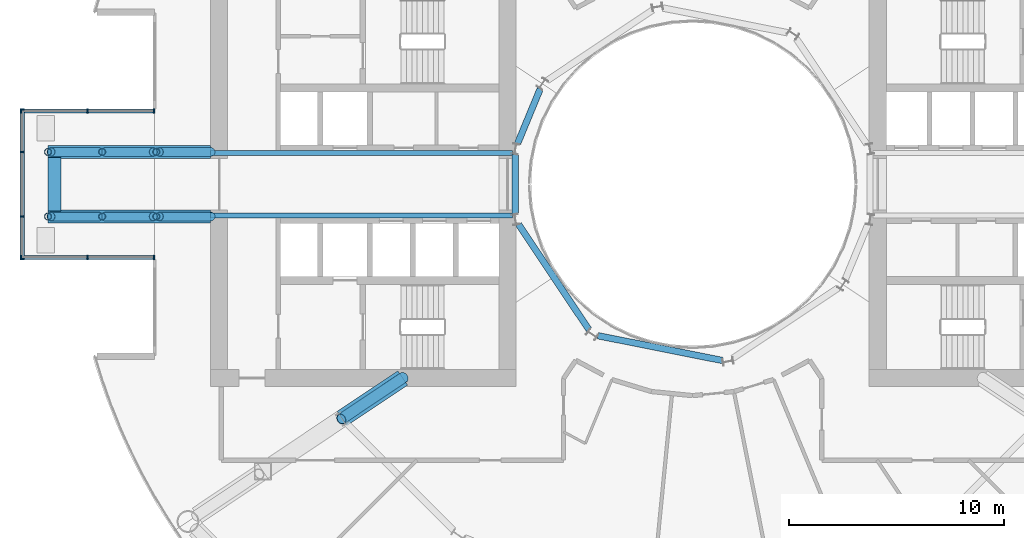
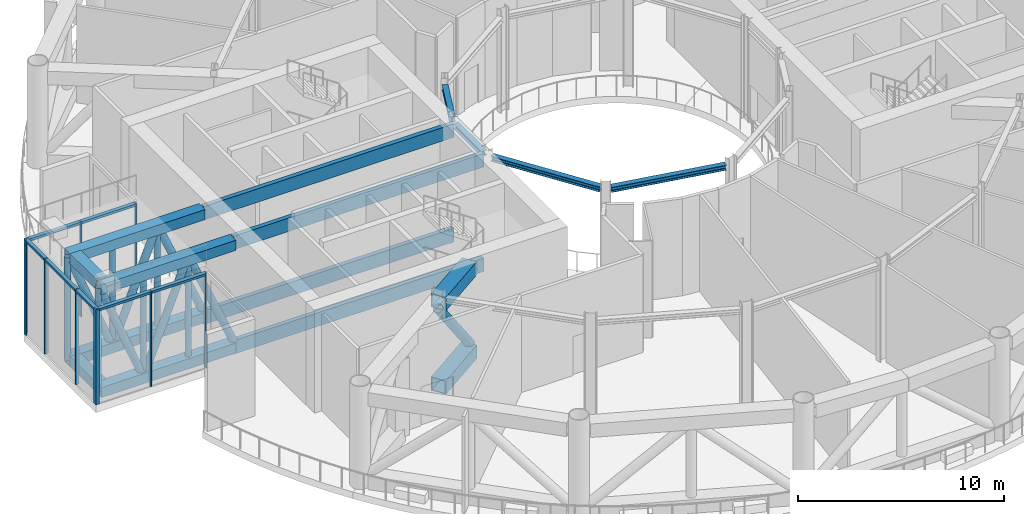
# One storey, part 5 of 22: 30 members, 16 beams, 3 elements without a shape of their own.
"""IFC4 building model written with IfcOpenShell, lengths in metres."""

from ifc_helpers import new_model, si_unit, direction, frame, origin, origin_2d, place, context, subcontext, project, spatial, rectangle, hollow_rectangle, hollow_circle, i_section, extrude, material, layer, layer_set, material_profile, profile_set, type_object, element, aggregate, save


model = new_model("IFC4")

# Units and contexts
model_context = context("Model", 3, precision=1e-05, world=origin(), true_north=direction((0.0, 1.0)))
body_context = subcontext(model_context, "Body", "Model", "MODEL_VIEW")
ifc_project = project(units=[si_unit("LENGTHUNIT", "METRE"), si_unit("AREAUNIT", "SQUARE_METRE"), si_unit("VOLUMEUNIT", "CUBIC_METRE"), si_unit("PLANEANGLEUNIT", "RADIAN"), si_unit("MASSUNIT", "GRAM", prefix="KILO")], contexts=[model_context])

# Site, building, storey
site_placement = place(None, origin())
site = spatial("IfcSite", under=ifc_project, at=site_placement, CompositionType="ELEMENT")
building_placement = place(site_placement, origin())
building = spatial("IfcBuilding", under=site, at=building_placement, Name="Maasbend Ring Residences", CompositionType="ELEMENT")
storey_placement = place(building_placement, frame((0.0, 0.0, 57.5)))
storey = spatial("IfcBuildingStorey", under=building, at=storey_placement, Name="L16", CompositionType="ELEMENT", Elevation=57.5)

# Curtain wall, members
ifc_material_1 = material(Name="Aluminium and clear glass", Category="aluminium")
ifc_layer = layer(ifc_material_1, 0.199951171875)
ifc_layer_set = layer_set([ifc_layer], Name="CW-GR")
curtain_wall_type = type_object("IfcCurtainWallType", Name="CW-GR", PredefinedType="NOTDEFINED", material=ifc_layer_set)
curtain_wall_1_placement = place(storey_placement, origin())
curtain_wall_1 = element("IfcCurtainWall", 1, at=curtain_wall_1_placement, inside=storey, type_object=curtain_wall_type, Name="Glass lounge curtain wall tip", PredefinedType="NOTDEFINED")
ifc_material_2 = material(Name="Aluminium 6063-T6", Category="aluminium")
ifc_material_profile_1 = material_profile(ifc_material_2, rectangle(XDim=0.199951171875, YDim=0.070068359375, at=origin_2d()), Name="AL 200x70")
ifc_profile_set_1 = profile_set([ifc_material_profile_1], Name="Aluminium 6063-T6")
member_type_1 = type_object("IfcMemberType", Name="CWM-GR", PredefinedType="MULLION", material=ifc_profile_set_1)
member_1_placement = place(storey_placement, frame((-31.14990234375, -3.465087890625, 0.0), z_axis=(0.0, 0.0, 1.0), x_axis=(-1.0, 0.0, 0.0)))
member_1 = element("IfcMember", 2, at=member_1_placement, type_object=member_type_1, Name="Mullion glass room", PredefinedType="MULLION", context=body_context, shape_type="SweptSolid", body=[
    extrude(rectangle(XDim=0.199951171875, YDim=0.070068359375, at=origin_2d()), origin(), (0.0, 0.0, 1.0), 5.64990234375),
])
member_2_placement = place(storey_placement, frame((-31.14990234375, -1.5, 0.0), z_axis=(0.0, 0.0, 1.0), x_axis=(-1.0, 0.0, 0.0)))
member_2 = element("IfcMember", 3, at=member_2_placement, type_object=member_type_1, Name="Mullion glass room", PredefinedType="MULLION", context=body_context, shape_type="SweptSolid", body=[
    extrude(rectangle(XDim=0.199951171875, YDim=0.070068359375, at=origin_2d()), origin(), (0.0, 0.0, 1.0), 5.64990234375),
])
member_3_placement = place(storey_placement, frame((-31.14990234375, 1.5, 0.0), z_axis=(0.0, 0.0, 1.0), x_axis=(-1.0, 0.0, 0.0)))
member_3 = element("IfcMember", 4, at=member_3_placement, type_object=member_type_1, Name="Mullion glass room", PredefinedType="MULLION", context=body_context, shape_type="SweptSolid", body=[
    extrude(rectangle(XDim=0.199951171875, YDim=0.070068359375, at=origin_2d()), origin(), (0.0, 0.0, 1.0), 5.64990234375),
])
member_4_placement = place(storey_placement, frame((-31.14990234375, 3.465087890625, 0.0), z_axis=(0.0, 0.0, 1.0), x_axis=(-1.0, 0.0, 0.0)))
member_4 = element("IfcMember", 5, at=member_4_placement, type_object=member_type_1, Name="Mullion glass room", PredefinedType="MULLION", context=body_context, shape_type="SweptSolid", body=[
    extrude(rectangle(XDim=0.199951171875, YDim=0.070068359375, at=origin_2d()), origin(), (0.0, 0.0, 1.0), 5.64990234375),
])

curtain_wall_2_placement = place(storey_placement, origin())
curtain_wall_2 = element("IfcCurtainWall", 6, at=curtain_wall_2_placement, inside=storey, type_object=curtain_wall_type, Name="Glass lounge curtain wall south", PredefinedType="NOTDEFINED")
member_5_placement = place(storey_placement, frame((-25.034912109375, -3.39990234375, 0.0), z_axis=(0.0, 0.0, 1.0), x_axis=(0.0, -1.0, 0.0)))
member_5 = element("IfcMember", 7, at=member_5_placement, type_object=member_type_1, Name="Mullion glass room", PredefinedType="MULLION", context=body_context, shape_type="SweptSolid", body=[
    extrude(rectangle(XDim=0.199951171875, YDim=0.070068359375, at=origin_2d()), origin(), (0.0, 0.0, 1.0), 5.64990234375),
])
member_6_placement = place(storey_placement, frame((-28.125, -3.39990234375, 0.0), z_axis=(0.0, 0.0, 1.0), x_axis=(0.0, -1.0, 0.0)))
member_6 = element("IfcMember", 8, at=member_6_placement, type_object=member_type_1, Name="Mullion glass room", PredefinedType="MULLION", context=body_context, shape_type="SweptSolid", body=[
    extrude(rectangle(XDim=0.199951171875, YDim=0.070068359375, at=origin_2d()), origin(), (0.0, 0.0, 1.0), 5.64990234375),
])
member_7_placement = place(storey_placement, frame((-31.215087890625, -3.39990234375, 0.0), z_axis=(0.0, 0.0, 1.0), x_axis=(0.0, -1.0, 0.0)))
member_7 = element("IfcMember", 9, at=member_7_placement, type_object=member_type_1, Name="Mullion glass room", PredefinedType="MULLION", context=body_context, shape_type="SweptSolid", body=[
    extrude(rectangle(XDim=0.199951171875, YDim=0.070068359375, at=origin_2d()), origin(), (0.0, 0.0, 1.0), 5.64990234375),
])

curtain_wall_3_placement = place(storey_placement, origin())
curtain_wall_3 = element("IfcCurtainWall", 10, at=curtain_wall_3_placement, inside=storey, type_object=curtain_wall_type, Name="Glass lounge curtain wall north", PredefinedType="NOTDEFINED")
member_8_placement = place(storey_placement, frame((-25.034912109375, 3.39990234375, 0.0), z_axis=(0.0, 0.0, 1.0), x_axis=(0.0, -1.0, 0.0)))
member_8 = element("IfcMember", 11, at=member_8_placement, type_object=member_type_1, Name="Mullion glass room", PredefinedType="MULLION", context=body_context, shape_type="SweptSolid", body=[
    extrude(rectangle(XDim=0.199951171875, YDim=0.070068359375, at=origin_2d()), origin(), (0.0, 0.0, 1.0), 5.64990234375),
])
member_9_placement = place(storey_placement, frame((-28.125, 3.39990234375, 0.0), z_axis=(0.0, 0.0, 1.0), x_axis=(0.0, -1.0, 0.0)))
member_9 = element("IfcMember", 12, at=member_9_placement, type_object=member_type_1, Name="Mullion glass room", PredefinedType="MULLION", context=body_context, shape_type="SweptSolid", body=[
    extrude(rectangle(XDim=0.199951171875, YDim=0.070068359375, at=origin_2d()), origin(), (0.0, 0.0, 1.0), 5.64990234375),
])
member_10_placement = place(storey_placement, frame((-31.215087890625, 3.39990234375, 0.0), z_axis=(0.0, 0.0, 1.0), x_axis=(0.0, -1.0, 0.0)))
member_10 = element("IfcMember", 13, at=member_10_placement, type_object=member_type_1, Name="Mullion glass room", PredefinedType="MULLION", context=body_context, shape_type="SweptSolid", body=[
    extrude(rectangle(XDim=0.199951171875, YDim=0.070068359375, at=origin_2d()), origin(), (0.0, 0.0, 1.0), 5.64990234375),
])

# Member
ifc_material_3 = material(Name="Aluminium 6063-T6", Category="aluminium")
ifc_material_profile_2 = material_profile(ifc_material_3, rectangle(XDim=0.199951171875, YDim=0.139892578125, at=origin_2d()), Name="AL 200x140")
ifc_profile_set_2 = profile_set([ifc_material_profile_2], Name="Aluminium 6063-T6")
member_type_2 = type_object("IfcMemberType", Name="CWT-GR", PredefinedType="USERDEFINED", material=ifc_profile_set_2)
member_11_placement = place(storey_placement, frame((-31.14990234375, -3.429931640625, 5.580078125), z_axis=(0.0, 1.0, 0.0), x_axis=(-1.0, 0.0, 0.0)))
member_11 = element("IfcMember", 14, at=member_11_placement, type_object=member_type_2, Name="Transom glass room", ObjectType="TRANSOM", PredefinedType="USERDEFINED", context=body_context, shape_type="SweptSolid", body=[
    extrude(rectangle(XDim=0.199951171875, YDim=0.139892578125, at=origin_2d()), origin(), (0.0, 0.0, 1.0), 1.89501953125),
])

member_12_placement = place(storey_placement, frame((-31.14990234375, -1.465087890625, 5.580078125), z_axis=(0.0, 1.0, 0.0), x_axis=(-1.0, 0.0, 0.0)))
member_12 = element("IfcMember", 15, at=member_12_placement, type_object=member_type_2, Name="Transom glass room", ObjectType="TRANSOM", PredefinedType="USERDEFINED", context=body_context, shape_type="SweptSolid", body=[
    extrude(rectangle(XDim=0.199951171875, YDim=0.139892578125, at=origin_2d()), origin(), (0.0, 0.0, 1.0), 2.93017578125),
])

member_13_placement = place(storey_placement, frame((-31.14990234375, 1.534912109375, 5.580078125), z_axis=(0.0, 1.0, 0.0), x_axis=(-1.0, 0.0, 0.0)))
member_13 = element("IfcMember", 16, at=member_13_placement, type_object=member_type_2, Name="Transom glass room", ObjectType="TRANSOM", PredefinedType="USERDEFINED", context=body_context, shape_type="SweptSolid", body=[
    extrude(rectangle(XDim=0.199951171875, YDim=0.139892578125, at=origin_2d()), origin(), (0.0, 0.0, 1.0), 1.89501953125),
])

aggregate(curtain_wall_1, [member_1, member_2, member_3, member_4, member_11, member_12, member_13])

member_14_placement = place(storey_placement, frame((-25.070068359375, -3.39990234375, 5.580078125), z_axis=(-1.0, 0.0, 0.0), x_axis=(0.0, -1.0, 0.0)))
member_14 = element("IfcMember", 17, at=member_14_placement, type_object=member_type_2, Name="Transom glass room", ObjectType="TRANSOM", PredefinedType="USERDEFINED", context=body_context, shape_type="SweptSolid", body=[
    extrude(rectangle(XDim=0.199951171875, YDim=0.139892578125, at=origin_2d()), origin(), (0.0, 0.0, 1.0), 3.02001953125),
])

member_15_placement = place(storey_placement, frame((-28.159912109375, -3.39990234375, 5.580078125), z_axis=(-1.0, 0.0, 0.0), x_axis=(0.0, -1.0, 0.0)))
member_15 = element("IfcMember", 18, at=member_15_placement, type_object=member_type_2, Name="Transom glass room", ObjectType="TRANSOM", PredefinedType="USERDEFINED", context=body_context, shape_type="SweptSolid", body=[
    extrude(rectangle(XDim=0.199951171875, YDim=0.139892578125, at=origin_2d()), origin(), (0.0, 0.0, 1.0), 3.02001953125),
])

aggregate(curtain_wall_2, [member_5, member_6, member_7, member_14, member_15])

member_16_placement = place(storey_placement, frame((-25.070068359375, 3.39990234375, 5.580078125), z_axis=(-1.0, 0.0, 0.0), x_axis=(0.0, -1.0, 0.0)))
member_16 = element("IfcMember", 19, at=member_16_placement, type_object=member_type_2, Name="Transom glass room", ObjectType="TRANSOM", PredefinedType="USERDEFINED", context=body_context, shape_type="SweptSolid", body=[
    extrude(rectangle(XDim=0.199951171875, YDim=0.139892578125, at=origin_2d()), origin(), (0.0, 0.0, 1.0), 3.02001953125),
])

member_17_placement = place(storey_placement, frame((-28.159912109375, 3.39990234375, 5.580078125), z_axis=(-1.0, 0.0, 0.0), x_axis=(0.0, -1.0, 0.0)))
member_17 = element("IfcMember", 20, at=member_17_placement, type_object=member_type_2, Name="Transom glass room", ObjectType="TRANSOM", PredefinedType="USERDEFINED", context=body_context, shape_type="SweptSolid", body=[
    extrude(rectangle(XDim=0.199951171875, YDim=0.139892578125, at=origin_2d()), origin(), (0.0, 0.0, 1.0), 3.02001953125),
])

aggregate(curtain_wall_3, [member_8, member_9, member_10, member_16, member_17])

# Beams
ifc_material_4 = material(Name="Steel S460M", Category="steel")
ifc_material_profile_3 = material_profile(ifc_material_4, hollow_rectangle(XDim=0.25, YDim=0.800048828125, WallThickness=0.02490234375, at=origin_2d()), Name="Glass room back-span beam BX 800x250x25")
ifc_profile_set_3 = profile_set([ifc_material_profile_3], Name="Steel S460M")
beam_type_1 = type_object("IfcBeamType", Name="Glass room back-span beam BX 800x250x25", PredefinedType="BEAM", material=ifc_profile_set_3)
for number, where, z_axis, x_axis, name in (
    (21, (-22.39990234375, -1.449951171875, -0.85009765625), (1.0, 0.0, 0.0), (0.0, 1.0, 0.0), "Glass room lower back-span beam W"),
    (22, (-22.39990234375, -1.449951171875, 5.35009765625), (1.0, 0.0, 0.0), (0.0, 1.0, 0.0), "Glass room back-span beam W"),
    (23, (-22.39990234375, 1.449951171875, -0.85009765625), (1.0, 0.0, 0.0), (0.0, 1.0, 0.0), "Glass room lower back-span beam W"),
    (24, (-22.39990234375, 1.449951171875, 5.35009765625), (1.0, 0.0, 0.0), (0.0, 1.0, 0.0), "Glass room back-span beam W"),
):
    element("IfcBeam", number, at=place(storey_placement, frame(where, z_axis=z_axis, x_axis=x_axis)), inside=storey, type_object=beam_type_1, Name=name, PredefinedType="BEAM", context=body_context, shape_type="SweptSolid", body=[
        extrude(hollow_rectangle(XDim=0.25, YDim=0.800048828125, WallThickness=0.02490234375, at=origin_2d()), origin(), (0.0, 0.0, 1.0), 14.03076171875),
    ])
ifc_material_5 = material(Name="Steel S460M", Category="steel")
ifc_material_profile_4 = material_profile(ifc_material_5, hollow_rectangle(XDim=0.60009765625, YDim=0.60009765625, WallThickness=0.035888671875, at=origin_2d()), Name="Glass room truss chord BX 600x600x36")
ifc_profile_set_4 = profile_set([ifc_material_profile_4], Name="Steel S460M")
beam_type_2 = type_object("IfcBeamType", Name="Glass room truss chord BX 600x600x36", PredefinedType="BEAM", material=ifc_profile_set_4)
for number, where, z_axis, x_axis, name in (
    (25, (-22.39990234375, -1.5, -0.75), (-1.0, 0.0, 0.0), (0.0, -1.0, 0.0), "Glass room truss W"),
    (26, (-22.39990234375, -1.5, 5.35009765625), (-1.0, 0.0, 0.0), (0.0, -1.0, 0.0), "Glass room truss W"),
):
    element("IfcBeam", number, at=place(storey_placement, frame(where, z_axis=z_axis, x_axis=x_axis)), inside=storey, type_object=beam_type_2, Name=name, PredefinedType="BEAM", context=body_context, shape_type="SweptSolid", body=[
        extrude(hollow_rectangle(XDim=0.60009765625, YDim=0.60009765625, WallThickness=0.035888671875, at=origin_2d()), origin(), (0.0, 0.0, 1.0), 7.550048828125),
    ])
for number, where, z_axis, x_axis, name in (
    (27, (-29.64990234375, -1.25, 5.35009765625), (0.0, 1.0, 0.0), (-1.0, 0.0, 0.0), "Glass room tip beam W"),
    (28, (-29.64990234375, -1.25, -0.75), (0.0, 1.0, 0.0), (-1.0, 0.0, 0.0), "Glass room lower tip beam W"),
):
    element("IfcBeam", number, at=place(storey_placement, frame(where, z_axis=z_axis, x_axis=x_axis)), inside=storey, type_object=beam_type_2, Name=name, PredefinedType="BEAM", context=body_context, shape_type="SweptSolid", body=[
        extrude(hollow_rectangle(XDim=0.60009765625, YDim=0.60009765625, WallThickness=0.035888671875, at=origin_2d()), origin(), (0.0, 0.0, 1.0), 2.5),
    ])
for number, where, z_axis, x_axis, name in (
    (29, (-22.39990234375, 1.5, -0.75), (-1.0, 0.0, 0.0), (0.0, -1.0, 0.0), "Glass room truss W"),
    (30, (-22.39990234375, 1.5, 5.35009765625), (-1.0, 0.0, 0.0), (0.0, -1.0, 0.0), "Glass room truss W"),
):
    element("IfcBeam", number, at=place(storey_placement, frame(where, z_axis=z_axis, x_axis=x_axis)), inside=storey, type_object=beam_type_2, Name=name, PredefinedType="BEAM", context=body_context, shape_type="SweptSolid", body=[
        extrude(hollow_rectangle(XDim=0.60009765625, YDim=0.60009765625, WallThickness=0.035888671875, at=origin_2d()), origin(), (0.0, 0.0, 1.0), 7.550048828125),
    ])

# Members
ifc_material_6 = material(Name="Steel S460NH", Category="steel")
ifc_material_profile_5 = material_profile(ifc_material_6, hollow_circle(Radius=0.203125, WallThickness=0.01611328125, at=origin_2d()), Name="Glass room truss diagonal CHS 406.4x16")
ifc_profile_set_5 = profile_set([ifc_material_profile_5], Name="Steel S460NH")
member_type_3 = type_object("IfcMemberType", Name="Glass room truss diagonal CHS 406.4x16", PredefinedType="BRACE", material=ifc_profile_set_5)
member_18_placement = place(storey_placement, frame((-22.378662109375, -1.5, -0.5), z_axis=(-0.393561334917, 0.0, 0.919298360522), x_axis=(0.0, -1.0, 0.0)))
element("IfcMember", 31, at=member_18_placement, inside=storey, type_object=member_type_3, Name="Glass room truss W diagonal", PredefinedType="BRACE", context=body_context, shape_type="SweptSolid", body=[
    extrude(hollow_circle(Radius=0.203125, WallThickness=0.01611328125, at=origin_2d()), origin(), (0.0, 0.0, 1.0), 6.091796875),
])
for number, where, z_axis, x_axis, name in (
    (32, (-25.05859375, -1.5, 5.10009765625), (-0.370336143871, 0.0, -0.928897809526), (0.0, -1.0, 0.0), "Glass room truss W diagonal"),
    (33, (-27.5751953125, -1.5, -0.5), (-0.370371085126, 0.0, 0.928883878266), (0.0, -1.0, 0.0), "Glass room truss W diagonal"),
):
    element("IfcMember", number, at=place(storey_placement, frame(where, z_axis=z_axis, x_axis=x_axis)), inside=storey, type_object=member_type_3, Name=name, PredefinedType="BRACE", context=body_context, shape_type="SweptSolid", body=[
        extrude(hollow_circle(Radius=0.203125, WallThickness=0.01611328125, at=origin_2d()), origin(), (0.0, 0.0, 1.0), 6.02880859375),
    ])
member_19_placement = place(storey_placement, frame((-22.378662109375, 1.5, -0.5), z_axis=(-0.393561334917, 0.0, 0.919298360522), x_axis=(0.0, -1.0, 0.0)))
element("IfcMember", 34, at=member_19_placement, inside=storey, type_object=member_type_3, Name="Glass room truss W diagonal", PredefinedType="BRACE", context=body_context, shape_type="SweptSolid", body=[
    extrude(hollow_circle(Radius=0.203125, WallThickness=0.01611328125, at=origin_2d()), origin(), (0.0, 0.0, 1.0), 6.091796875),
])
for number, where, z_axis, x_axis, name in (
    (35, (-25.05859375, 1.5, 5.10009765625), (-0.370336143871, 0.0, -0.928897809526), (0.0, -1.0, 0.0), "Glass room truss W diagonal"),
    (36, (-27.5751953125, 1.5, -0.5), (-0.370371085126, 0.0, 0.928883878266), (0.0, -1.0, 0.0), "Glass room truss W diagonal"),
):
    element("IfcMember", number, at=place(storey_placement, frame(where, z_axis=z_axis, x_axis=x_axis)), inside=storey, type_object=member_type_3, Name=name, PredefinedType="BRACE", context=body_context, shape_type="SweptSolid", body=[
        extrude(hollow_circle(Radius=0.203125, WallThickness=0.01611328125, at=origin_2d()), origin(), (0.0, 0.0, 1.0), 6.02880859375),
    ])
ifc_material_7 = material(Name="Steel S460NH", Category="steel")
ifc_material_profile_6 = material_profile(ifc_material_7, hollow_circle(Radius=0.161865234375, WallThickness=0.012451171875, at=origin_2d()), Name="Glass room truss post CHS 323.9x12.5")
ifc_profile_set_6 = profile_set([ifc_material_profile_6], Name="Steel S460NH")
member_type_4 = type_object("IfcMemberType", Name="Glass room truss post CHS 323.9x12.5", PredefinedType="POST", material=ifc_profile_set_6)
for number, where, z_axis, x_axis, name in (
    (37, (-24.916748046875, -1.5, -0.449951171875), (0.0, 0.0, 1.0), (1.0, 0.0, 0.0), "Glass room truss W post"),
    (38, (-27.433349609375, -1.5, -0.449951171875), (0.0, 0.0, 1.0), (1.0, 0.0, 0.0), "Glass room truss W post"),
):
    element("IfcMember", number, at=place(storey_placement, frame(where, z_axis=z_axis, x_axis=x_axis)), inside=storey, type_object=member_type_4, Name=name, PredefinedType="POST", context=body_context, shape_type="SweptSolid", body=[
        extrude(hollow_circle(Radius=0.161865234375, WallThickness=0.012451171875, at=origin_2d()), origin(), (0.0, 0.0, 1.0), 5.5),
    ])
member_20_placement = place(storey_placement, frame((-29.949951171875, -1.5, -0.75), z_axis=(0.0, 0.0, 1.0), x_axis=(1.0, 0.0, 0.0)))
element("IfcMember", 39, at=member_20_placement, inside=storey, type_object=member_type_4, Name="Glass room truss W post", PredefinedType="POST", context=body_context, shape_type="SweptSolid", body=[
    extrude(hollow_circle(Radius=0.161865234375, WallThickness=0.012451171875, at=origin_2d()), origin(), (0.0, 0.0, 1.0), 6.10009765625),
])
for number, where, z_axis, x_axis, name in (
    (40, (-24.916748046875, 1.5, -0.449951171875), (0.0, 0.0, 1.0), (1.0, 0.0, 0.0), "Glass room truss W post"),
    (41, (-27.433349609375, 1.5, -0.449951171875), (0.0, 0.0, 1.0), (1.0, 0.0, 0.0), "Glass room truss W post"),
):
    element("IfcMember", number, at=place(storey_placement, frame(where, z_axis=z_axis, x_axis=x_axis)), inside=storey, type_object=member_type_4, Name=name, PredefinedType="POST", context=body_context, shape_type="SweptSolid", body=[
        extrude(hollow_circle(Radius=0.161865234375, WallThickness=0.012451171875, at=origin_2d()), origin(), (0.0, 0.0, 1.0), 5.5),
    ])
member_21_placement = place(storey_placement, frame((-29.949951171875, 1.5, -0.75), z_axis=(0.0, 0.0, 1.0), x_axis=(1.0, 0.0, 0.0)))
element("IfcMember", 42, at=member_21_placement, inside=storey, type_object=member_type_4, Name="Glass room truss W post", PredefinedType="POST", context=body_context, shape_type="SweptSolid", body=[
    extrude(hollow_circle(Radius=0.161865234375, WallThickness=0.012451171875, at=origin_2d()), origin(), (0.0, 0.0, 1.0), 6.10009765625),
])

# Beams
ifc_material_8 = material(Name="Steel S460M", Category="steel")
ifc_material_profile_7 = material_profile(ifc_material_8, hollow_rectangle(XDim=0.800048828125, YDim=0.800048828125, WallThickness=0.0400390625, at=origin_2d()), Name="Outrigger truss chord BX 800x800x40")
ifc_profile_set_7 = profile_set([ifc_material_profile_7], Name="Steel S460M")
beam_type_3 = type_object("IfcBeamType", Name="Outrigger truss chord BX 800x800x40", PredefinedType="BEAM", material=ifc_profile_set_7)
for number, where, z_axis, x_axis, name in (
    (43, (-16.2900390625, -10.884765625, 0.39990234375), (0.831451918965, 0.555596712058, 0.0), (-0.555596712058, 0.831451918965, 0.0), "Outrigger truss"),
    (44, (-16.2900390625, -10.884765625, 5.35009765625), (0.831451918965, 0.555596712058, 0.0), (-0.555596712058, 0.831451918965, 0.0), "Outrigger truss"),
):
    element("IfcBeam", number, at=place(storey_placement, frame(where, z_axis=z_axis, x_axis=x_axis)), inside=storey, type_object=beam_type_3, Name=name, PredefinedType="BEAM", context=body_context, shape_type="SweptSolid", body=[
        extrude(hollow_rectangle(XDim=0.800048828125, YDim=0.800048828125, WallThickness=0.0400390625, at=origin_2d()), origin(), (0.0, 0.0, 1.0), 3.392333984375),
    ])

# Member
ifc_material_9 = material(Name="Steel S460NH", Category="steel")
ifc_material_profile_8 = material_profile(ifc_material_9, hollow_circle(Radius=0.25390625, WallThickness=0.02490234375, at=origin_2d()), Name="Outrigger truss diagonal CHS 508x25")
ifc_profile_set_8 = profile_set([ifc_material_profile_8], Name="Steel S460NH")
member_type_5 = type_object("IfcMemberType", Name="Outrigger truss diagonal CHS 508x25", PredefinedType="BRACE", material=ifc_profile_set_8)
member_22_placement = place(storey_placement, frame((-16.32421875, -10.907470703125, 5.0), z_axis=(0.526268216764, 0.351616371312, -0.774214241311), x_axis=(-0.555543133943, 0.831487718688, 0.0)))
element("IfcMember", 45, at=member_22_placement, inside=storey, type_object=member_type_5, Name="Outrigger truss diagonal", PredefinedType="BRACE", context=body_context, shape_type="SweptSolid", body=[
    extrude(hollow_circle(Radius=0.25390625, WallThickness=0.02490234375, at=origin_2d()), origin(), (0.0, 0.0, 1.0), 5.489501953125),
])

# Beams
ifc_material_10 = material(Name="Steel S355J2", Category="steel")
ifc_material_profile_9 = material_profile(ifc_material_10, i_section(OverallWidth=0.300048828125, OverallDepth=0.300048828125, WebThickness=0.010986328125, FlangeThickness=0.01904296875, FilletRadius=0.027099609375, at=origin_2d()), Name="HEB 300")
ifc_profile_set_9 = profile_set([ifc_material_profile_9], Name="Steel S355J2")
beam_type_4 = type_object("IfcBeamType", Name="Well edge beam HEB 300", PredefinedType="BEAM", material=ifc_profile_set_9)
beam_1_placement = place(storey_placement, frame((-7.081787109375, 4.431396484375, 5.60009765625), z_axis=(-0.382723119906, -0.923863092395, 0.0), x_axis=(0.923863092395, -0.382723119906, 0.0)))
element("IfcBeam", 46, at=beam_1_placement, inside=storey, type_object=beam_type_4, Name="Well edge beam", PredefinedType="BEAM", context=body_context, shape_type="SweptSolid", body=[
    extrude(i_section(OverallWidth=0.300048828125, OverallDepth=0.300048828125, WebThickness=0.010986328125, FlangeThickness=0.01904296875, FilletRadius=0.027099609375, at=origin_2d()), origin(), (0.0, 0.0, 1.0), 2.767822265625),
])
beam_2_placement = place(storey_placement, frame((-8.238525390625, 1.3837890625, 5.60009765625), z_axis=(0.0, -1.0, 0.0), x_axis=(1.0, 0.0, 0.0)))
element("IfcBeam", 47, at=beam_2_placement, inside=storey, type_object=beam_type_4, Name="Well edge beam", PredefinedType="BEAM", context=body_context, shape_type="SweptSolid", body=[
    extrude(i_section(OverallWidth=0.300048828125, OverallDepth=0.300048828125, WebThickness=0.010986328125, FlangeThickness=0.01904296875, FilletRadius=0.027099609375, at=origin_2d()), origin(), (0.0, 0.0, 1.0), 2.767578125),
])
beam_3_placement = place(storey_placement, frame((-8.08837890625, -1.86376953125, 5.60009765625), z_axis=(0.555589782054, -0.831456549723, 0.0), x_axis=(0.831456549723, 0.555589782054, 0.0)))
element("IfcBeam", 48, at=beam_3_placement, inside=storey, type_object=beam_type_4, Name="Well edge beam", PredefinedType="BEAM", context=body_context, shape_type="SweptSolid", body=[
    extrude(i_section(OverallWidth=0.300048828125, OverallDepth=0.300048828125, WebThickness=0.010986328125, FlangeThickness=0.01904296875, FilletRadius=0.027099609375, at=origin_2d()), origin(), (0.0, 0.0, 1.0), 5.887939453125),
])
beam_4_placement = place(storey_placement, frame((-4.4013671875, -7.037109375, 5.60009765625), z_axis=(0.980784282486, -0.195095338819, 0.0), x_axis=(0.195095338819, 0.980784282486, 0.0)))
element("IfcBeam", 49, at=beam_4_placement, inside=storey, type_object=beam_type_4, Name="Well edge beam", PredefinedType="BEAM", context=body_context, shape_type="SweptSolid", body=[
    extrude(i_section(OverallWidth=0.300048828125, OverallDepth=0.300048828125, WebThickness=0.010986328125, FlangeThickness=0.01904296875, FilletRadius=0.027099609375, at=origin_2d()), origin(), (0.0, 0.0, 1.0), 5.8876953125),
])

save(model, "model.ifc")
